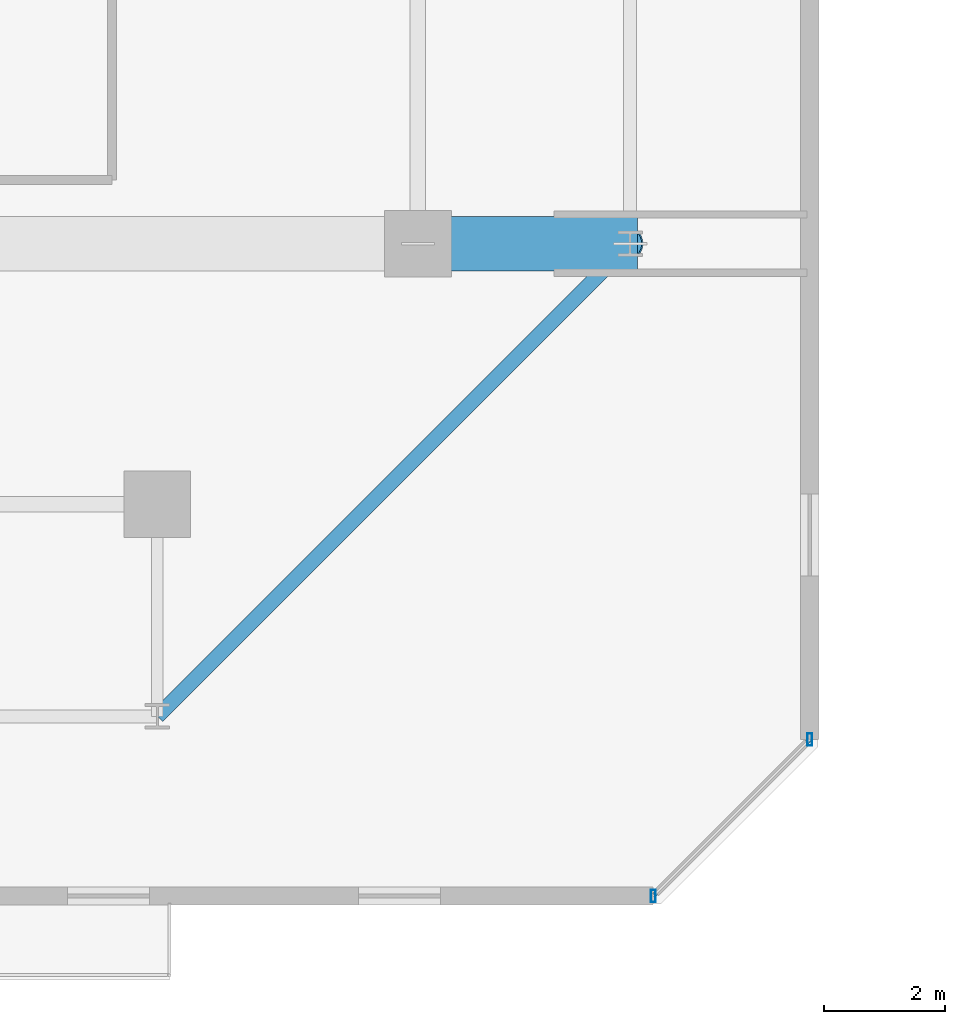
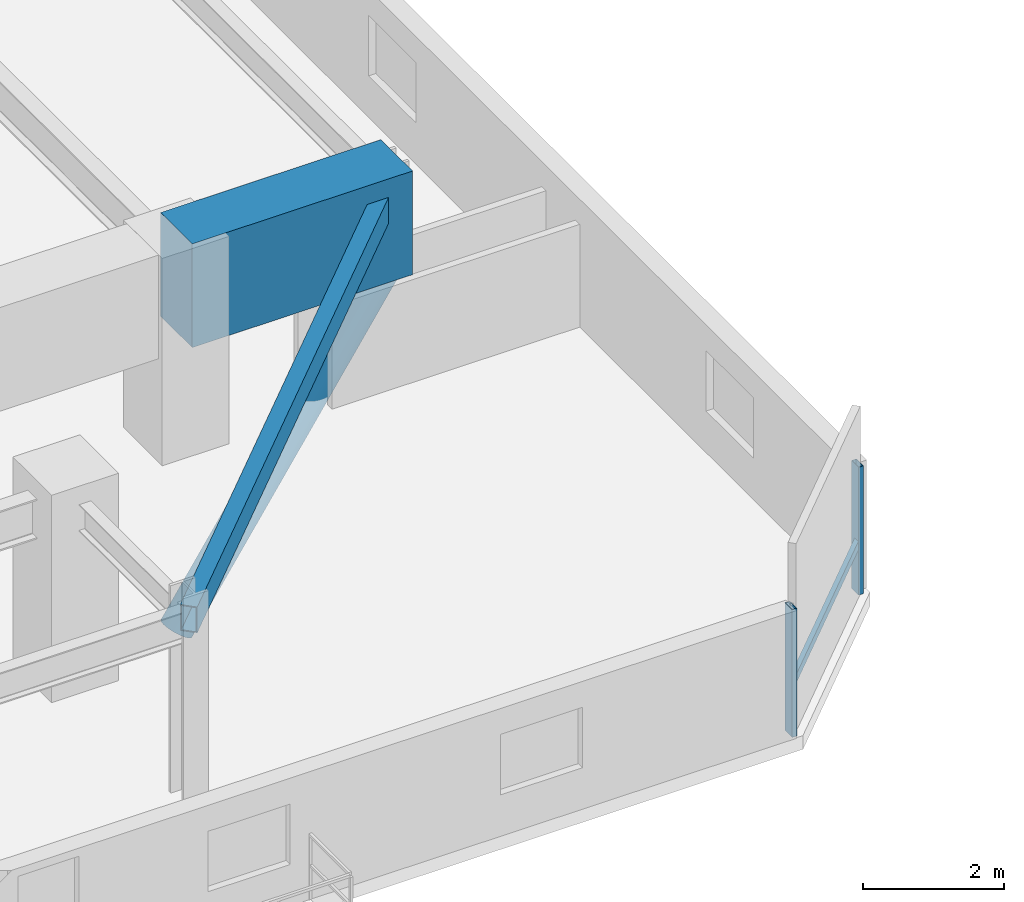
# One storey, part 5 of 36: 4 members, 2 beams, 1 element without a shape of its own.
"""IFC4 building model written with IfcOpenShell, lengths in metres."""

from ifc_helpers import new_model, si_unit, direction, frame, origin, origin_2d, place, context, subcontext, project, spatial, rectangle, hollow_rectangle, hollow_circle, extrude, material, material_profile, profile_set, type_object, element, aggregate, save


model = new_model("IFC4")

# Units and contexts
model_context = context("Model", 3, precision=1e-05, world=origin(), true_north=direction((0.0, 1.0)))
body_context = subcontext(model_context, "Body", "Model", "MODEL_VIEW")
ifc_project = project(units=[si_unit("LENGTHUNIT", "METRE"), si_unit("AREAUNIT", "SQUARE_METRE"), si_unit("VOLUMEUNIT", "CUBIC_METRE"), si_unit("PLANEANGLEUNIT", "RADIAN"), si_unit("MASSUNIT", "GRAM", prefix="KILO")], contexts=[model_context])

# Site, building, storey
site_placement = place(None, origin())
site = spatial("IfcSite", under=ifc_project, at=site_placement, CompositionType="ELEMENT")
building_placement = place(site_placement, origin())
building = spatial("IfcBuilding", under=site, at=building_placement, Name="Thornwick Lancets Civic Towers", CompositionType="ELEMENT")
storey_placement = place(building_placement, frame((0.0, 0.0, 170.699951171875)))
storey = spatial("IfcBuildingStorey", under=building, at=storey_placement, Name="L45", CompositionType="ELEMENT", Elevation=170.699951171875)

# Beams
ifc_material_1 = material(Name="Steel S355JR", Category="steel")
ifc_material_profile_1 = material_profile(ifc_material_1, hollow_rectangle(XDim=0.25, YDim=0.449951171875, WallThickness=0.01611328125, at=origin_2d()), Name="RHS 450x250x16")
ifc_profile_set_1 = profile_set([ifc_material_profile_1], Name="Steel S355JR")
beam_type_1 = type_object("IfcBeamType", Name="BM_RING_RHS450", PredefinedType="BEAM", material=ifc_profile_set_1)
beam_1_placement = place(storey_placement, frame((38.5, 6.199951171875, 3.054931640625), z_axis=(0.707106781187, 0.707106781187, 0.0), x_axis=(-0.707106781187, 0.707106781187, 0.0)))
element("IfcBeam", 1, at=beam_1_placement, inside=storey, type_object=beam_type_1, Name="BM-CHAMF-L45-A-C0", PredefinedType="BEAM", context=body_context, shape_type="SweptSolid", body=[
    extrude(hollow_rectangle(XDim=0.25, YDim=0.449951171875, WallThickness=0.01611328125, at=origin_2d()), origin(), (0.0, 0.0, 1.0), 11.031005859375),
])
ifc_material_2 = material(Name="Concrete C60/75", Category="concrete")
ifc_material_profile_2 = material_profile(ifc_material_2, rectangle(XDim=0.89990234375, YDim=1.800048828125, at=origin_2d()), Name="RC 900x1800")
ifc_profile_set_2 = profile_set([ifc_material_profile_2], Name="Concrete C60/75")
beam_type_2 = type_object("IfcBeamType", Name="BM_TR_RC1800", PredefinedType="BEAM", material=ifc_profile_set_2)
beam_2_placement = place(storey_placement, frame((42.800048828125, 14.0, 2.699951171875), z_axis=(1.0, 0.0, 0.0), x_axis=(0.0, 1.0, 0.0)))
element("IfcBeam", 2, at=beam_2_placement, inside=storey, type_object=beam_type_2, Name="TG-CANT-L46-A04", PredefinedType="BEAM", context=body_context, shape_type="SweptSolid", body=[
    extrude(rectangle(XDim=0.89990234375, YDim=1.800048828125, at=origin_2d()), origin(), (0.0, 0.0, 1.0), 3.619873046875),
])

# Curtain wall, members
ifc_material_3 = material(Name="Mid-zone chamfered-corner unitised glass curtain wall", Category="glass")
curtain_wall_type = type_object("IfcCurtainWallType", Name="CW_SYS_04", PredefinedType="NOTDEFINED", material=ifc_material_3)
curtain_wall_placement = place(storey_placement, origin())
curtain_wall = element("IfcCurtainWall", 3, at=curtain_wall_placement, inside=storey, type_object=curtain_wall_type, Name="L45 Curtain Wall CW-L45-A-E1", PredefinedType="NOTDEFINED")
ifc_material_4 = material(Name="Thermally broken bronze aluminium S355", Category="steel")
ifc_material_profile_3 = material_profile(ifc_material_4, hollow_rectangle(XDim=0.080078125, YDim=0.199951171875, WallThickness=0.006103515625, at=origin_2d()), Name="RHS 200x80x6")
ifc_profile_set_3 = profile_set([ifc_material_profile_3], Name="Thermally broken bronze aluminium S355")
member_type_1 = type_object("IfcMemberType", Name="CW_MUL_200", PredefinedType="MULLION", material=ifc_profile_set_3)
member_1_placement = place(storey_placement, frame((46.681396484375, 3.2353515625, 0.0), z_axis=(0.0, 0.0, 1.0), x_axis=(1.0, 0.0, 0.0)))
member_1 = element("IfcMember", 4, at=member_1_placement, type_object=member_type_1, Name="CW-L45-A-E1 Mullion 0", PredefinedType="MULLION", context=body_context, shape_type="SweptSolid", body=[
    extrude(hollow_rectangle(XDim=0.080078125, YDim=0.199951171875, WallThickness=0.006103515625, at=origin_2d()), origin(), (0.0, 0.0, 1.0), 2.219970703125),
])
member_2_placement = place(storey_placement, frame((49.2646484375, 5.818603515625, 0.0), z_axis=(0.0, 0.0, 1.0), x_axis=(1.0, 0.0, 0.0)))
member_2 = element("IfcMember", 5, at=member_2_placement, type_object=member_type_1, Name="CW-L45-A-E1 Mullion 1", PredefinedType="MULLION", context=body_context, shape_type="SweptSolid", body=[
    extrude(hollow_rectangle(XDim=0.080078125, YDim=0.199951171875, WallThickness=0.006103515625, at=origin_2d()), origin(), (0.0, 0.0, 1.0), 2.219970703125),
])
ifc_material_profile_4 = material_profile(ifc_material_4, hollow_rectangle(XDim=0.074951171875, YDim=0.14990234375, WallThickness=0.0048828125, at=origin_2d()), Name="RHS 150x75x5")
ifc_profile_set_4 = profile_set([ifc_material_profile_4], Name="Thermally broken bronze aluminium S355")
member_type_2 = type_object("IfcMemberType", Name="CW_TRN_150", PredefinedType="USERDEFINED", material=ifc_profile_set_4)
member_3_placement = place(storey_placement, frame((46.695556640625, 3.24951171875, 0.85009765625), z_axis=(0.707106781187, 0.707106781187, 0.0), x_axis=(-0.707106781187, 0.707106781187, 0.0)))
member_3 = element("IfcMember", 6, at=member_3_placement, type_object=member_type_2, Name="CW-L45-A-E1 Transom 0", ObjectType="TRANSOM", PredefinedType="USERDEFINED", context=body_context, shape_type="SweptSolid", body=[
    extrude(hollow_rectangle(XDim=0.074951171875, YDim=0.14990234375, WallThickness=0.0048828125, at=origin_2d()), origin(), (0.0, 0.0, 1.0), 3.61328125),
])
aggregate(curtain_wall, [member_1, member_2, member_3])

# Member
ifc_material_5 = material(Name="Steel S460M", Category="steel")
ifc_material_profile_5 = material_profile(ifc_material_5, hollow_circle(Radius=0.25390625, WallThickness=0.02490234375, at=origin_2d()), Name="CHS 508x25")
ifc_profile_set_5 = profile_set([ifc_material_profile_5], Name="Steel S460M")
member_type_3 = type_object("IfcMemberType", Name="MEM_STRUT_CHS508", PredefinedType="STRUT", material=ifc_profile_set_5)
member_4_placement = place(storey_placement, frame((42.800048828125, 14.0, -3.349853515625), z_axis=(0.556167580628, 0.0, 0.831070166868), x_axis=(0.0, 1.0, 0.0)))
element("IfcMember", 7, at=member_4_placement, inside=storey, type_object=member_type_3, Name="L46 Jenga Transfer Raking Strut A04", PredefinedType="STRUT", context=body_context, shape_type="SweptSolid", body=[
    extrude(hollow_circle(Radius=0.25390625, WallThickness=0.02490234375, at=origin_2d()), origin(), (0.0, 0.0, 1.0), 6.29296875),
])

save(model, "model.ifc")
